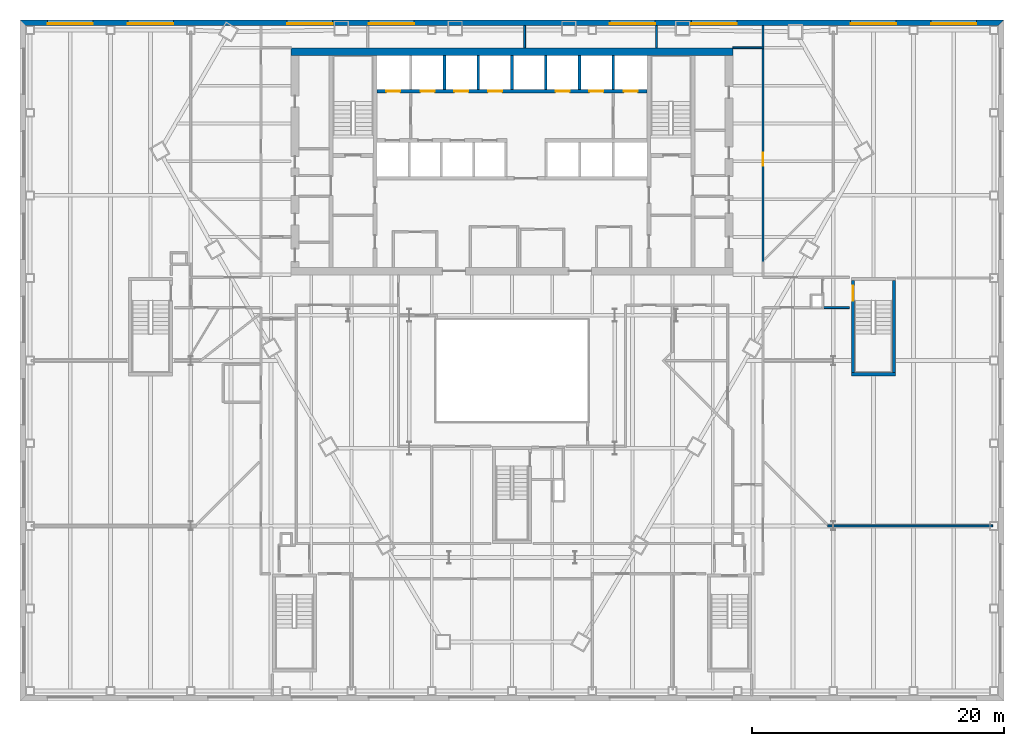
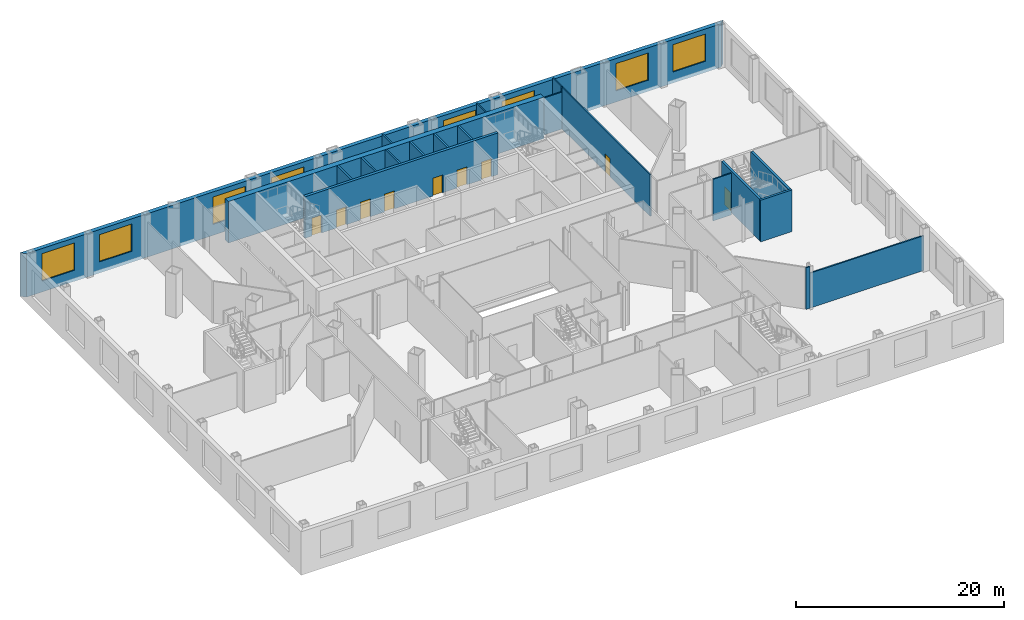
# One storey, part 14 of 21: 20 walls, 9 doors, 8 windows, 17 openings.
"""IFC4 building model written with IfcOpenShell, lengths in metres."""

from ifc_helpers import new_model, si_unit, direction, frame, frame_2d, origin, place, context, subcontext, project, spatial, polyline, rectangle, outline, extrude, material, layer, layer_set, type_object, element, fill, save


model = new_model("IFC4")

# Units and contexts
model_context = context("Model", 3, precision=1e-05, world=origin(), true_north=direction((0.0, 1.0)))
body_context = subcontext(model_context, "Body", "Model", "MODEL_VIEW")
ifc_project = project(units=[si_unit("LENGTHUNIT", "METRE"), si_unit("AREAUNIT", "SQUARE_METRE"), si_unit("VOLUMEUNIT", "CUBIC_METRE"), si_unit("PLANEANGLEUNIT", "RADIAN"), si_unit("MASSUNIT", "GRAM", prefix="KILO")], contexts=[model_context])

# Site, building, storey
site_placement = place(None, origin())
site = spatial("IfcSite", under=ifc_project, at=site_placement, CompositionType="ELEMENT")
building_placement = place(site_placement, origin())
building = spatial("IfcBuilding", under=site, at=building_placement, Name="Njiva Tower", CompositionType="ELEMENT")
storey_placement = place(building_placement, frame((0.0, 0.0, 13.5)))
storey = spatial("IfcBuildingStorey", under=building, at=storey_placement, Name="L02", CompositionType="ELEMENT", Elevation=13.5)

# Wall
ifc_material_1 = material(Name="Concrete C60/75", Category="concrete")
ifc_layer_1 = layer(ifc_material_1, 0.6)
ifc_layer_set_1 = layer_set([ifc_layer_1], Name="Concrete C60/75")
wall_type_1 = type_object("IfcWallType", Name="WT15 Core wall 600", PredefinedType="SHEAR", material=ifc_layer_set_1)
wall_1_placement = place(storey_placement, frame((-17.5, 17.7, 0.0), z_axis=(0.0, 0.0, 1.0), x_axis=(1.0, 0.0, 0.0)))
element("IfcWall", 1, at=wall_1_placement, inside=storey, type_object=wall_type_1, Name="Core wall north", PredefinedType="SHEAR", context=body_context, shape_type="SweptSolid", body=[
    extrude(rectangle(XDim=35.0, YDim=0.6, at=frame_2d((17.5, 0.0))), origin(), (0.0, 0.0, 1.0), 4.88),
])

# Wall, opening, door
ifc_material_2 = material(Name="Gypsum board on steel studs", Category="gypsum")
ifc_layer_2 = layer(ifc_material_2, 0.15)
ifc_layer_set_2 = layer_set([ifc_layer_2], Name="Gypsum board on steel studs")
wall_type_2 = type_object("IfcWallType", Name="WT21 Compartment wall 150", PredefinedType="PARTITIONING", material=ifc_layer_set_2)
wall_2_placement = place(storey_placement, frame((19.9, 1.025, 0.0), z_axis=(0.0, 0.0, 1.0), x_axis=(0.0, 1.0, 0.0)))
wall_2 = element("IfcWall", 2, at=wall_2_placement, inside=storey, type_object=wall_type_2, Name="Partition L02-P084", PredefinedType="PARTITIONING", context=body_context, shape_type="SweptSolid", body=[
    extrude(rectangle(XDim=16.9, YDim=0.15, at=frame_2d((8.45, 0.0))), origin(), (0.0, 0.0, 1.0), 4.88),
])
opening_1_placement = place(wall_2_placement, frame((7.637, 0.0, 0.0)))
opening_1 = element("IfcOpeningElement", 3, at=opening_1_placement, cuts=wall_2, Name="Opening L02-D031", PredefinedType="OPENING", context=body_context, shape_type="SweptSolid", body=[
    extrude(rectangle(XDim=1.0, YDim=2.1, at=frame_2d((0.5, 1.05))), frame((0.0, 0.085, 0.0), z_axis=(0.0, -1.0, 0.0), x_axis=(1.0, 0.0, 0.0)), (0.0, 0.0, 1.0), 0.17),
])
ifc_material_3 = material(Name="Steel fire door set", Category="steel")
door_type_1 = type_object("IfcDoorType", Name="D37 Fire door 1000x2100", OperationType="SINGLE_SWING_LEFT", PredefinedType="DOOR", material=ifc_material_3)
door_1_placement = place(opening_1_placement, origin())
door_1 = element("IfcDoor", 4, at=door_1_placement, inside=storey, type_object=door_type_1, Name="Door L02-D031", OperationType="SINGLE_SWING_LEFT", OverallHeight=2.1, OverallWidth=1.0, PredefinedType="DOOR", context=body_context, shape_type="SweptSolid", body=[
    extrude(rectangle(XDim=1.0, YDim=2.1, at=frame_2d((0.5, 1.05))), frame((0.0, 0.025, 0.0), z_axis=(0.0, -1.0, 0.0), x_axis=(1.0, 0.0, 0.0)), (0.0, 0.0, 1.0), 0.05),
])
fill(opening_1, door_1)

# Walls
wall_3_placement = place(storey_placement, frame((24.7, -2.6, 0.0), z_axis=(0.0, 0.0, 1.0), x_axis=(1.0, 0.0, 0.0)))
element("IfcWall", 5, at=wall_3_placement, inside=storey, type_object=wall_type_2, Name="Partition L02-P096", PredefinedType="PARTITIONING", context=body_context, shape_type="SweptSolid", body=[
    extrude(rectangle(XDim=2.05, YDim=0.15, at=frame_2d((1.025, 0.0))), origin(), (0.0, 0.0, 1.0), 4.88),
])
wall_4_placement = place(storey_placement, frame((25.026, -19.9, 0.0), z_axis=(0.0, 0.0, 1.0), x_axis=(1.0, 0.0, 0.0)))
element("IfcWall", 6, at=wall_4_placement, inside=storey, type_object=wall_type_2, Name="Partition L02-P097", PredefinedType="PARTITIONING", context=body_context, shape_type="SweptSolid", body=[
    extrude(rectangle(XDim=0.441, YDim=0.15, at=frame_2d((0.2205, 0.0))), origin(), (0.0, 0.0, 1.0), 4.88),
])
wall_5_placement = place(storey_placement, frame((25.467, -19.9, 0.0), z_axis=(0.0, 0.0, 1.0), x_axis=(0.999999996867, 7.9157761e-05, 0.0)))
element("IfcWall", 7, at=wall_5_placement, inside=storey, type_object=wall_type_2, Name="Partition L02-P097A", PredefinedType="PARTITIONING", context=body_context, shape_type="SweptSolid", body=[
    extrude(rectangle(XDim=12.633, YDim=0.15, at=frame_2d((6.3165, 0.0))), origin(), (0.0, 0.0, 1.0), 4.09),
])
ifc_layer_3 = layer(ifc_material_2, 0.15)
ifc_layer_set_3 = layer_set([ifc_layer_3], Name="Gypsum board on steel studs")
wall_type_3 = type_object("IfcWallType", Name="WT24 Riser room wall 150", PredefinedType="PARTITIONING", material=ifc_layer_set_3)
for number, where, z_axis, x_axis, name in (
    (8, (1.0, 18.0, 0.0), (0.0, 0.0, 1.0), (0.0, 1.0, 0.0), "Partition L02-P054"),
    (9, (11.45, 18.0, 0.0), (0.0, 0.0, 1.0), (0.0, 1.0, 0.0), "Partition L02-P063"),
):
    element("IfcWall", number, at=place(storey_placement, frame(where, z_axis=z_axis, x_axis=x_axis)), inside=storey, type_object=wall_type_3, Name=name, PredefinedType="PARTITIONING", context=body_context, shape_type="SweptSolid", body=[
        extrude(rectangle(XDim=1.75, YDim=0.15, at=frame_2d((0.875, 0.0))), origin(), (0.0, 0.0, 1.0), 4.88),
    ])
wall_6_placement = place(storey_placement, frame((17.5, 18.0, 0.0), z_axis=(0.0, 0.0, 1.0), x_axis=(1.0, 0.0, 0.0)))
element("IfcWall", 10, at=wall_6_placement, inside=storey, type_object=wall_type_3, Name="Partition L02-P074", PredefinedType="PARTITIONING", context=body_context, shape_type="SweptSolid", body=[
    extrude(rectangle(XDim=2.475, YDim=0.15, at=frame_2d((1.2375, 0.0))), origin(), (0.0, 0.0, 1.0), 4.33),
])
wall_7_placement = place(storey_placement, frame((19.9, 18.075, 0.0), z_axis=(0.0, 0.0, 1.0), x_axis=(0.0, 1.0, 0.0)))
element("IfcWall", 11, at=wall_7_placement, inside=storey, type_object=wall_type_3, Name="Partition L02-P085", PredefinedType="PARTITIONING", context=body_context, shape_type="SweptSolid", body=[
    extrude(rectangle(XDim=1.675, YDim=0.15, at=frame_2d((0.8375, 0.0))), origin(), (0.0, 0.0, 1.0), 4.88),
])
ifc_material_4 = material(Name="Concrete C40/50", Category="concrete")
ifc_layer_4 = layer(ifc_material_4, 0.2)
ifc_layer_set_4 = layer_set([ifc_layer_4], Name="Concrete C40/50")
wall_type_4 = type_object("IfcWallType", Name="WT6 Lift shaft wall 200", PredefinedType="SHEAR", material=ifc_layer_set_4)
for number, where, z_axis, x_axis, name in (
    (12, (-5.35, 14.7, 0.0), (0.0, 0.0, 1.0), (0.0, 1.0, 0.0), "Shaft wall CN2"),
    (13, (-2.675, 14.7, 0.0), (0.0, 0.0, 1.0), (0.0, 1.0, 0.0), "Shaft wall CN3"),
    (14, (0.0, 14.7, 0.0), (0.0, 0.0, 1.0), (0.0, 1.0, 0.0), "Shaft wall CN4"),
    (15, (2.675, 14.7, 0.0), (0.0, 0.0, 1.0), (0.0, 1.0, 0.0), "Shaft wall CN5"),
    (16, (5.35, 14.7, 0.0), (0.0, 0.0, 1.0), (0.0, 1.0, 0.0), "Shaft wall CN6"),
    (17, (8.025, 14.7, 0.0), (0.0, 0.0, 1.0), (0.0, 1.0, 0.0), "Shaft wall CN7"),
):
    element("IfcWall", number, at=place(storey_placement, frame(where, z_axis=z_axis, x_axis=x_axis)), inside=storey, type_object=wall_type_4, Name=name, PredefinedType="SHEAR", context=body_context, shape_type="SweptSolid", body=[
        extrude(rectangle(XDim=2.7, YDim=0.2, at=frame_2d((1.35, 0.0))), origin(), (0.0, 0.0, 1.0), 4.88),
    ])

# Wall, openings, doors
ifc_layer_5 = layer(ifc_material_4, 0.3)
ifc_layer_set_5 = layer_set([ifc_layer_5], Name="Concrete C40/50")
wall_type_5 = type_object("IfcWallType", Name="WT7 Lift shaft wall 300", PredefinedType="SHEAR", material=ifc_layer_set_5)
wall_8_placement = place(storey_placement, frame((-10.7, 14.55, 0.0), z_axis=(0.0, 0.0, 1.0), x_axis=(1.0, 0.0, 0.0)))
wall_8 = element("IfcWall", 18, at=wall_8_placement, inside=storey, type_object=wall_type_5, Name="Shaft wall north row lobby side", PredefinedType="SHEAR", context=body_context, shape_type="SweptSolid", body=[
    extrude(rectangle(XDim=21.4, YDim=0.3, at=frame_2d((10.7, 0.0))), origin(), (0.0, 0.0, 1.0), 4.88),
])
opening_2_placement = place(wall_8_placement, frame((0.7375, 0.0, 0.0)))
opening_2 = element("IfcOpeningElement", 19, at=opening_2_placement, cuts=wall_8, Name="Opening L02-D901", PredefinedType="OPENING", context=body_context, shape_type="SweptSolid", body=[
    extrude(rectangle(XDim=1.1, YDim=2.1, at=frame_2d((0.55, 1.05))), frame((0.0, 0.16, 0.0), z_axis=(0.0, -1.0, 0.0), x_axis=(1.0, 0.0, 0.0)), (0.0, 0.0, 1.0), 0.32),
])
opening_3_placement = place(wall_8_placement, frame((3.4625, 0.0, 0.0)))
opening_3 = element("IfcOpeningElement", 20, at=opening_3_placement, cuts=wall_8, Name="Opening L02-D902", PredefinedType="OPENING", context=body_context, shape_type="SweptSolid", body=[
    extrude(rectangle(XDim=1.1, YDim=2.1, at=frame_2d((0.55, 1.05))), frame((0.0, 0.16, 0.0), z_axis=(0.0, -1.0, 0.0), x_axis=(1.0, 0.0, 0.0)), (0.0, 0.0, 1.0), 0.32),
])
opening_4_placement = place(wall_8_placement, frame((6.1375, 0.0, 0.0)))
opening_4 = element("IfcOpeningElement", 21, at=opening_4_placement, cuts=wall_8, Name="Opening L02-D903", PredefinedType="OPENING", context=body_context, shape_type="SweptSolid", body=[
    extrude(rectangle(XDim=1.1, YDim=2.1, at=frame_2d((0.55, 1.05))), frame((0.0, 0.16, 0.0), z_axis=(0.0, -1.0, 0.0), x_axis=(1.0, 0.0, 0.0)), (0.0, 0.0, 1.0), 0.32),
])
opening_5_placement = place(wall_8_placement, frame((8.8125, 0.0, 0.0)))
opening_5 = element("IfcOpeningElement", 22, at=opening_5_placement, cuts=wall_8, Name="Opening L02-D904", PredefinedType="OPENING", context=body_context, shape_type="SweptSolid", body=[
    extrude(rectangle(XDim=1.1, YDim=2.1, at=frame_2d((0.55, 1.05))), frame((0.0, 0.16, 0.0), z_axis=(0.0, -1.0, 0.0), x_axis=(1.0, 0.0, 0.0)), (0.0, 0.0, 1.0), 0.32),
])
opening_6_placement = place(wall_8_placement, frame((14.1625, 0.0, 0.0)))
opening_6 = element("IfcOpeningElement", 23, at=opening_6_placement, cuts=wall_8, Name="Opening L02-D905", PredefinedType="OPENING", context=body_context, shape_type="SweptSolid", body=[
    extrude(rectangle(XDim=1.1, YDim=2.1, at=frame_2d((0.55, 1.05))), frame((0.0, 0.16, 0.0), z_axis=(0.0, -1.0, 0.0), x_axis=(1.0, 0.0, 0.0)), (0.0, 0.0, 1.0), 0.32),
])
opening_7_placement = place(wall_8_placement, frame((16.8375, 0.0, 0.0)))
opening_7 = element("IfcOpeningElement", 24, at=opening_7_placement, cuts=wall_8, Name="Opening L02-D906", PredefinedType="OPENING", context=body_context, shape_type="SweptSolid", body=[
    extrude(rectangle(XDim=1.1, YDim=2.1, at=frame_2d((0.55, 1.05))), frame((0.0, 0.16, 0.0), z_axis=(0.0, -1.0, 0.0), x_axis=(1.0, 0.0, 0.0)), (0.0, 0.0, 1.0), 0.32),
])
opening_8_placement = place(wall_8_placement, frame((19.5625, 0.0, 0.0)))
opening_8 = element("IfcOpeningElement", 25, at=opening_8_placement, cuts=wall_8, Name="Opening L02-D907", PredefinedType="OPENING", context=body_context, shape_type="SweptSolid", body=[
    extrude(rectangle(XDim=1.1, YDim=2.1, at=frame_2d((0.55, 1.05))), frame((0.0, 0.16, 0.0), z_axis=(0.0, -1.0, 0.0), x_axis=(1.0, 0.0, 0.0)), (0.0, 0.0, 1.0), 0.32),
])
ifc_material_5 = material(Name="Stainless steel sliding door", Category="steel")
door_type_2 = type_object("IfcDoorType", Name="LD Lift landing door 1100x2100", OperationType="SLIDING_TO_LEFT", PredefinedType="DOOR", material=ifc_material_5)
door_2_placement = place(opening_2_placement, origin())
door_2 = element("IfcDoor", 26, at=door_2_placement, inside=storey, type_object=door_type_2, Name="Lift landing door FF1", OperationType="SLIDING_TO_LEFT", OverallHeight=2.1, OverallWidth=1.1, PredefinedType="DOOR", context=body_context, shape_type="SweptSolid", body=[
    extrude(rectangle(XDim=1.1, YDim=2.1, at=frame_2d((0.55, 1.05))), frame((0.0, 0.025, 0.0), z_axis=(0.0, -1.0, 0.0), x_axis=(1.0, 0.0, 0.0)), (0.0, 0.0, 1.0), 0.05),
])
fill(opening_2, door_2)
door_3_placement = place(opening_3_placement, origin())
door_3 = element("IfcDoor", 27, at=door_3_placement, inside=storey, type_object=door_type_2, Name="Lift landing door LB1", OperationType="SLIDING_TO_LEFT", OverallHeight=2.1, OverallWidth=1.1, PredefinedType="DOOR", context=body_context, shape_type="SweptSolid", body=[
    extrude(rectangle(XDim=1.1, YDim=2.1, at=frame_2d((0.55, 1.05))), frame((0.0, 0.025, 0.0), z_axis=(0.0, -1.0, 0.0), x_axis=(1.0, 0.0, 0.0)), (0.0, 0.0, 1.0), 0.05),
])
fill(opening_3, door_3)
door_4_placement = place(opening_4_placement, origin())
door_4 = element("IfcDoor", 28, at=door_4_placement, inside=storey, type_object=door_type_2, Name="Lift landing door LB2", OperationType="SLIDING_TO_LEFT", OverallHeight=2.1, OverallWidth=1.1, PredefinedType="DOOR", context=body_context, shape_type="SweptSolid", body=[
    extrude(rectangle(XDim=1.1, YDim=2.1, at=frame_2d((0.55, 1.05))), frame((0.0, 0.025, 0.0), z_axis=(0.0, -1.0, 0.0), x_axis=(1.0, 0.0, 0.0)), (0.0, 0.0, 1.0), 0.05),
])
fill(opening_4, door_4)
door_5_placement = place(opening_5_placement, origin())
door_5 = element("IfcDoor", 29, at=door_5_placement, inside=storey, type_object=door_type_2, Name="Lift landing door LB3", OperationType="SLIDING_TO_LEFT", OverallHeight=2.1, OverallWidth=1.1, PredefinedType="DOOR", context=body_context, shape_type="SweptSolid", body=[
    extrude(rectangle(XDim=1.1, YDim=2.1, at=frame_2d((0.55, 1.05))), frame((0.0, 0.025, 0.0), z_axis=(0.0, -1.0, 0.0), x_axis=(1.0, 0.0, 0.0)), (0.0, 0.0, 1.0), 0.05),
])
fill(opening_5, door_5)
door_6_placement = place(opening_6_placement, origin())
door_6 = element("IfcDoor", 30, at=door_6_placement, inside=storey, type_object=door_type_2, Name="Lift landing door FR1", OperationType="SLIDING_TO_LEFT", OverallHeight=2.1, OverallWidth=1.1, PredefinedType="DOOR", context=body_context, shape_type="SweptSolid", body=[
    extrude(rectangle(XDim=1.1, YDim=2.1, at=frame_2d((0.55, 1.05))), frame((0.0, 0.025, 0.0), z_axis=(0.0, -1.0, 0.0), x_axis=(1.0, 0.0, 0.0)), (0.0, 0.0, 1.0), 0.05),
])
fill(opening_6, door_6)
door_7_placement = place(opening_7_placement, origin())
door_7 = element("IfcDoor", 31, at=door_7_placement, inside=storey, type_object=door_type_2, Name="Lift landing door FR2", OperationType="SLIDING_TO_LEFT", OverallHeight=2.1, OverallWidth=1.1, PredefinedType="DOOR", context=body_context, shape_type="SweptSolid", body=[
    extrude(rectangle(XDim=1.1, YDim=2.1, at=frame_2d((0.55, 1.05))), frame((0.0, 0.025, 0.0), z_axis=(0.0, -1.0, 0.0), x_axis=(1.0, 0.0, 0.0)), (0.0, 0.0, 1.0), 0.05),
])
fill(opening_7, door_7)
door_8_placement = place(opening_8_placement, origin())
door_8 = element("IfcDoor", 32, at=door_8_placement, inside=storey, type_object=door_type_2, Name="Lift landing door FF2", OperationType="SLIDING_TO_LEFT", OverallHeight=2.1, OverallWidth=1.1, PredefinedType="DOOR", context=body_context, shape_type="SweptSolid", body=[
    extrude(rectangle(XDim=1.1, YDim=2.1, at=frame_2d((0.55, 1.05))), frame((0.0, 0.025, 0.0), z_axis=(0.0, -1.0, 0.0), x_axis=(1.0, 0.0, 0.0)), (0.0, 0.0, 1.0), 0.05),
])
fill(opening_8, door_8)

# Wall, opening, door
ifc_layer_6 = layer(ifc_material_4, 0.25)
ifc_layer_set_6 = layer_set([ifc_layer_6], Name="Concrete C40/50")
wall_type_6 = type_object("IfcWallType", Name="WT9 Stair enclosure wall 250", PredefinedType="SHEAR", material=ifc_layer_set_6)
wall_9_placement = place(storey_placement, frame((27.025, -7.75, 0.0), z_axis=(0.0, 0.0, 1.0), x_axis=(0.0, 1.0, 0.0)))
wall_9 = element("IfcWall", 33, at=wall_9_placement, inside=storey, type_object=wall_type_6, Name="Stair G wall west", PredefinedType="SHEAR", context=body_context, shape_type="SweptSolid", body=[
    extrude(rectangle(XDim=7.3, YDim=0.25, at=frame_2d((3.65, 0.0))), origin(), (0.0, 0.0, 1.0), 4.88),
])
opening_9_placement = place(wall_9_placement, frame((5.7, 0.0, 0.0)))
opening_9 = element("IfcOpeningElement", 34, at=opening_9_placement, cuts=wall_9, Name="Opening L02-D944", PredefinedType="OPENING", context=body_context, shape_type="SweptSolid", body=[
    extrude(rectangle(XDim=1.2, YDim=2.1, at=frame_2d((0.6, 1.05))), frame((0.0, 0.135, 0.0), z_axis=(0.0, -1.0, 0.0), x_axis=(1.0, 0.0, 0.0)), (0.0, 0.0, 1.0), 0.27),
])
ifc_material_6 = material(Name="Steel door, painted", Category="steel")
door_type_3 = type_object("IfcDoorType", Name="D1 Stair door 1200x2100", OperationType="SINGLE_SWING_LEFT", PredefinedType="DOOR", material=ifc_material_6)
door_9_placement = place(opening_9_placement, origin())
door_9 = element("IfcDoor", 35, at=door_9_placement, inside=storey, type_object=door_type_3, Name="Stair G door", OperationType="SINGLE_SWING_RIGHT", OverallHeight=2.1, OverallWidth=1.2, PredefinedType="DOOR", context=body_context, shape_type="SweptSolid", body=[
    extrude(rectangle(XDim=1.2, YDim=2.1, at=frame_2d((0.6, 1.05))), frame((0.0, 0.025, 0.0), z_axis=(0.0, -1.0, 0.0), x_axis=(1.0, 0.0, 0.0)), (0.0, 0.0, 1.0), 0.05),
])
fill(opening_9, door_9)

# Walls
wall_10_placement = place(storey_placement, frame((30.275, -7.75, 0.0), z_axis=(0.0, 0.0, 1.0), x_axis=(0.0, 1.0, 0.0)))
element("IfcWall", 36, at=wall_10_placement, inside=storey, type_object=wall_type_6, Name="Stair G wall east", PredefinedType="SHEAR", context=body_context, shape_type="SweptSolid", body=[
    extrude(rectangle(XDim=7.3, YDim=0.25, at=frame_2d((3.65, 0.0))), origin(), (0.0, 0.0, 1.0), 4.88),
])
wall_11_placement = place(storey_placement, frame((26.9, -7.875, 0.0), z_axis=(0.0, 0.0, 1.0), x_axis=(1.0, 0.0, 0.0)))
element("IfcWall", 37, at=wall_11_placement, inside=storey, type_object=wall_type_6, Name="Stair G wall south", PredefinedType="SHEAR", context=body_context, shape_type="SweptSolid", body=[
    extrude(rectangle(XDim=3.5, YDim=0.25, at=frame_2d((1.75, 0.0))), origin(), (0.0, 0.0, 1.0), 4.88),
])

# Wall, openings, windows
ifc_material_7 = material(Name="Brick masonry", Category="masonry")
ifc_layer_7 = layer(ifc_material_7, 0.45)
ifc_layer_set_7 = layer_set([ifc_layer_7], Name="Brick masonry")
wall_type_7 = type_object("IfcWallType", Name="WT90 Brick pier and spandrel wall 450", PredefinedType="SOLIDWALL", material=ifc_layer_set_7)
wall_12_placement = place(storey_placement, frame((38.775, 19.975, -0.4), z_axis=(0.0, 0.0, 1.0), x_axis=(-1.0, 0.0, 0.0)))
wall_12 = element("IfcWall", 38, at=wall_12_placement, inside=storey, type_object=wall_type_7, Name="Podium wall N", PredefinedType="SOLIDWALL", context=body_context, shape_type="SweptSolid", body=[
    extrude(outline(polyline([(-0.225, -0.225), (77.775, -0.225), (77.325, 0.225), (0.225, 0.225), (-0.225, -0.225)])), origin(), (0.0, 0.0, 1.0), 5.1),
])
opening_10_placement = place(wall_12_placement, frame((1.9584, 0.0, 1.3)))
opening_10 = element("IfcOpeningElement", 39, at=opening_10_placement, cuts=wall_12, Name="Opening L02-W09", PredefinedType="OPENING", context=body_context, shape_type="SweptSolid", body=[
    extrude(rectangle(XDim=3.6, YDim=3.2, at=frame_2d((1.8, 1.6))), frame((0.0, 0.235, 0.0), z_axis=(0.0, -1.0, 0.0), x_axis=(1.0, 0.0, 0.0)), (0.0, 0.0, 1.0), 0.47),
])
opening_11_placement = place(wall_12_placement, frame((8.325, 0.0, 1.3)))
opening_11 = element("IfcOpeningElement", 40, at=opening_11_placement, cuts=wall_12, Name="Opening L02-W10", PredefinedType="OPENING", context=body_context, shape_type="SweptSolid", body=[
    extrude(rectangle(XDim=3.6, YDim=3.2, at=frame_2d((1.8, 1.6))), frame((0.0, 0.235, 0.0), z_axis=(0.0, -1.0, 0.0), x_axis=(1.0, 0.0, 0.0)), (0.0, 0.0, 1.0), 0.47),
])
opening_12_placement = place(wall_12_placement, frame((20.952, 0.0, 1.3)))
opening_12 = element("IfcOpeningElement", 41, at=opening_12_placement, cuts=wall_12, Name="Opening L02-W11", PredefinedType="OPENING", context=body_context, shape_type="SweptSolid", body=[
    extrude(rectangle(XDim=3.6, YDim=3.2, at=frame_2d((1.8, 1.6))), frame((0.0, 0.235, 0.0), z_axis=(0.0, -1.0, 0.0), x_axis=(1.0, 0.0, 0.0)), (0.0, 0.0, 1.0), 0.47),
])
opening_13_placement = place(wall_12_placement, frame((27.425, 0.0, 1.3)))
opening_13 = element("IfcOpeningElement", 42, at=opening_13_placement, cuts=wall_12, Name="Opening L02-W12", PredefinedType="OPENING", context=body_context, shape_type="SweptSolid", body=[
    extrude(rectangle(XDim=3.6, YDim=3.2, at=frame_2d((1.8, 1.6))), frame((0.0, 0.235, 0.0), z_axis=(0.0, -1.0, 0.0), x_axis=(1.0, 0.0, 0.0)), (0.0, 0.0, 1.0), 0.47),
])
opening_14_placement = place(wall_12_placement, frame((46.525, 0.0, 1.3)))
opening_14 = element("IfcOpeningElement", 43, at=opening_14_placement, cuts=wall_12, Name="Opening L02-W13", PredefinedType="OPENING", context=body_context, shape_type="SweptSolid", body=[
    extrude(rectangle(XDim=3.6, YDim=3.2, at=frame_2d((1.8, 1.6))), frame((0.0, 0.235, 0.0), z_axis=(0.0, -1.0, 0.0), x_axis=(1.0, 0.0, 0.0)), (0.0, 0.0, 1.0), 0.47),
])
opening_15_placement = place(wall_12_placement, frame((52.998, 0.0, 1.3)))
opening_15 = element("IfcOpeningElement", 44, at=opening_15_placement, cuts=wall_12, Name="Opening L02-W14", PredefinedType="OPENING", context=body_context, shape_type="SweptSolid", body=[
    extrude(rectangle(XDim=3.6, YDim=3.2, at=frame_2d((1.8, 1.6))), frame((0.0, 0.235, 0.0), z_axis=(0.0, -1.0, 0.0), x_axis=(1.0, 0.0, 0.0)), (0.0, 0.0, 1.0), 0.47),
])
opening_16_placement = place(wall_12_placement, frame((65.625, 0.0, 1.3)))
opening_16 = element("IfcOpeningElement", 45, at=opening_16_placement, cuts=wall_12, Name="Opening L02-W15", PredefinedType="OPENING", context=body_context, shape_type="SweptSolid", body=[
    extrude(rectangle(XDim=3.6, YDim=3.2, at=frame_2d((1.8, 1.6))), frame((0.0, 0.235, 0.0), z_axis=(0.0, -1.0, 0.0), x_axis=(1.0, 0.0, 0.0)), (0.0, 0.0, 1.0), 0.47),
])
opening_17_placement = place(wall_12_placement, frame((71.9917, 0.0, 1.3)))
opening_17 = element("IfcOpeningElement", 46, at=opening_17_placement, cuts=wall_12, Name="Opening L02-W16", PredefinedType="OPENING", context=body_context, shape_type="SweptSolid", body=[
    extrude(rectangle(XDim=3.6, YDim=3.2, at=frame_2d((1.8, 1.6))), frame((0.0, 0.235, 0.0), z_axis=(0.0, -1.0, 0.0), x_axis=(1.0, 0.0, 0.0)), (0.0, 0.0, 1.0), 0.47),
])
ifc_material_8 = material(Name="Clear glazing in aluminium frame", Category="aluminium")
window_type = type_object("IfcWindowType", Name="W98 Deep-set window 3600x3200", PartitioningType="SINGLE_PANEL", PredefinedType="WINDOW", material=ifc_material_8)
window_1_placement = place(opening_10_placement, origin())
window_1 = element("IfcWindow", 47, at=window_1_placement, inside=storey, type_object=window_type, Name="Window", OverallHeight=3.2, OverallWidth=3.6, PartitioningType="SINGLE_PANEL", PredefinedType="WINDOW", context=body_context, shape_type="SweptSolid", body=[
    extrude(rectangle(XDim=3.6, YDim=3.2, at=frame_2d((1.8, 1.6))), frame((0.0, 0.105, 0.0), z_axis=(0.0, -1.0, 0.0), x_axis=(1.0, 0.0, 0.0)), (0.0, 0.0, 1.0), 0.06),
])
fill(opening_10, window_1)
window_2_placement = place(opening_11_placement, origin())
window_2 = element("IfcWindow", 48, at=window_2_placement, inside=storey, type_object=window_type, Name="Window", OverallHeight=3.2, OverallWidth=3.6, PartitioningType="SINGLE_PANEL", PredefinedType="WINDOW", context=body_context, shape_type="SweptSolid", body=[
    extrude(rectangle(XDim=3.6, YDim=3.2, at=frame_2d((1.8, 1.6))), frame((0.0, 0.105, 0.0), z_axis=(0.0, -1.0, 0.0), x_axis=(1.0, 0.0, 0.0)), (0.0, 0.0, 1.0), 0.06),
])
fill(opening_11, window_2)
window_3_placement = place(opening_12_placement, origin())
window_3 = element("IfcWindow", 49, at=window_3_placement, inside=storey, type_object=window_type, Name="Window", OverallHeight=3.2, OverallWidth=3.6, PartitioningType="SINGLE_PANEL", PredefinedType="WINDOW", context=body_context, shape_type="SweptSolid", body=[
    extrude(rectangle(XDim=3.6, YDim=3.2, at=frame_2d((1.8, 1.6))), frame((0.0, 0.105, 0.0), z_axis=(0.0, -1.0, 0.0), x_axis=(1.0, 0.0, 0.0)), (0.0, 0.0, 1.0), 0.06),
])
fill(opening_12, window_3)
window_4_placement = place(opening_13_placement, origin())
window_4 = element("IfcWindow", 50, at=window_4_placement, inside=storey, type_object=window_type, Name="Window", OverallHeight=3.2, OverallWidth=3.6, PartitioningType="SINGLE_PANEL", PredefinedType="WINDOW", context=body_context, shape_type="SweptSolid", body=[
    extrude(rectangle(XDim=3.6, YDim=3.2, at=frame_2d((1.8, 1.6))), frame((0.0, 0.105, 0.0), z_axis=(0.0, -1.0, 0.0), x_axis=(1.0, 0.0, 0.0)), (0.0, 0.0, 1.0), 0.06),
])
fill(opening_13, window_4)
window_5_placement = place(opening_14_placement, origin())
window_5 = element("IfcWindow", 51, at=window_5_placement, inside=storey, type_object=window_type, Name="Window", OverallHeight=3.2, OverallWidth=3.6, PartitioningType="SINGLE_PANEL", PredefinedType="WINDOW", context=body_context, shape_type="SweptSolid", body=[
    extrude(rectangle(XDim=3.6, YDim=3.2, at=frame_2d((1.8, 1.6))), frame((0.0, 0.105, 0.0), z_axis=(0.0, -1.0, 0.0), x_axis=(1.0, 0.0, 0.0)), (0.0, 0.0, 1.0), 0.06),
])
fill(opening_14, window_5)
window_6_placement = place(opening_15_placement, origin())
window_6 = element("IfcWindow", 52, at=window_6_placement, inside=storey, type_object=window_type, Name="Window", OverallHeight=3.2, OverallWidth=3.6, PartitioningType="SINGLE_PANEL", PredefinedType="WINDOW", context=body_context, shape_type="SweptSolid", body=[
    extrude(rectangle(XDim=3.6, YDim=3.2, at=frame_2d((1.8, 1.6))), frame((0.0, 0.105, 0.0), z_axis=(0.0, -1.0, 0.0), x_axis=(1.0, 0.0, 0.0)), (0.0, 0.0, 1.0), 0.06),
])
fill(opening_15, window_6)
window_7_placement = place(opening_16_placement, origin())
window_7 = element("IfcWindow", 53, at=window_7_placement, inside=storey, type_object=window_type, Name="Window", OverallHeight=3.2, OverallWidth=3.6, PartitioningType="SINGLE_PANEL", PredefinedType="WINDOW", context=body_context, shape_type="SweptSolid", body=[
    extrude(rectangle(XDim=3.6, YDim=3.2, at=frame_2d((1.8, 1.6))), frame((0.0, 0.105, 0.0), z_axis=(0.0, -1.0, 0.0), x_axis=(1.0, 0.0, 0.0)), (0.0, 0.0, 1.0), 0.06),
])
fill(opening_16, window_7)
window_8_placement = place(opening_17_placement, origin())
window_8 = element("IfcWindow", 54, at=window_8_placement, inside=storey, type_object=window_type, Name="Window", OverallHeight=3.2, OverallWidth=3.6, PartitioningType="SINGLE_PANEL", PredefinedType="WINDOW", context=body_context, shape_type="SweptSolid", body=[
    extrude(rectangle(XDim=3.6, YDim=3.2, at=frame_2d((1.8, 1.6))), frame((0.0, 0.105, 0.0), z_axis=(0.0, -1.0, 0.0), x_axis=(1.0, 0.0, 0.0)), (0.0, 0.0, 1.0), 0.06),
])
fill(opening_17, window_8)

save(model, "model.ifc")
